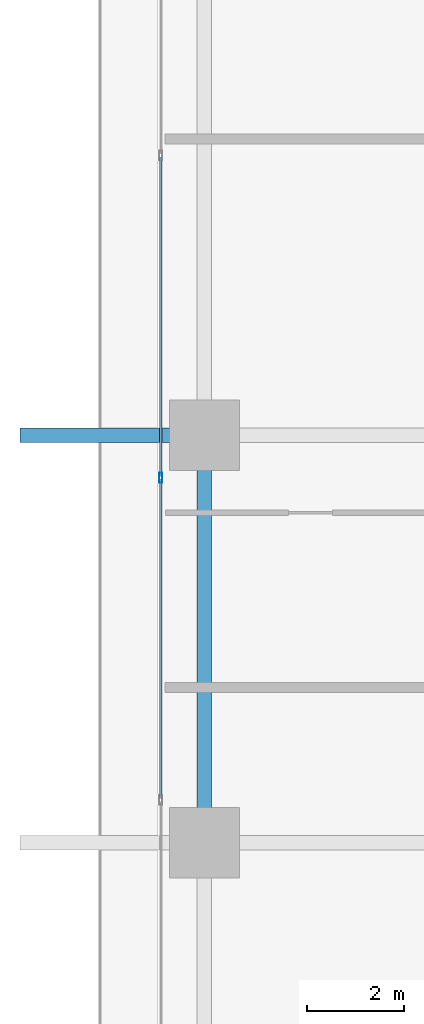
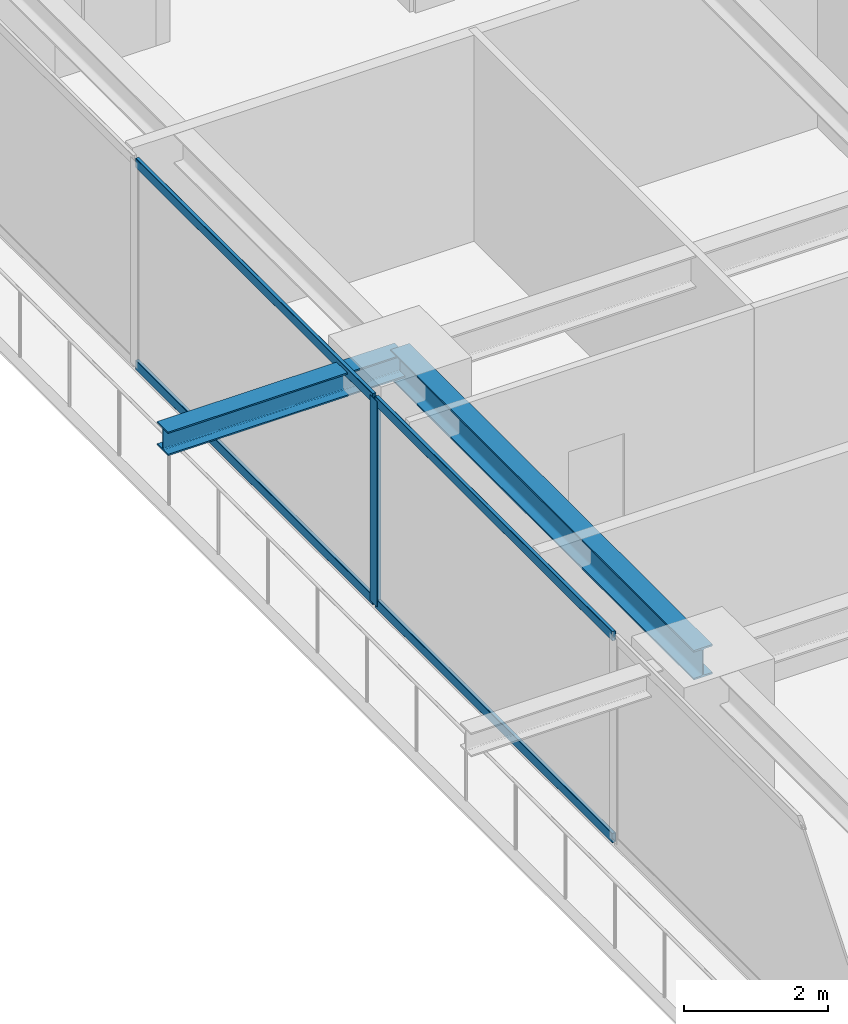
# One storey, part 8 of 38: 5 members, 2 beams, 1 element without a shape of its own.
"""IFC4 building model written with IfcOpenShell, lengths in metres."""

from ifc_helpers import new_model, si_unit, direction, frame, origin, origin_2d, place, context, subcontext, project, spatial, hollow_rectangle, i_section, extrude, source, transform, mapped, material, layer, layer_set, material_profile, profile_set, type_object, element, aggregate, save


model = new_model("IFC4")

# Units and contexts
model_context = context("Model", 3, precision=1e-05, world=origin(), true_north=direction((0.0, 1.0)))
body_context = subcontext(model_context, "Body", "Model", "MODEL_VIEW")
ifc_project = project(units=[si_unit("LENGTHUNIT", "METRE"), si_unit("AREAUNIT", "SQUARE_METRE"), si_unit("VOLUMEUNIT", "CUBIC_METRE"), si_unit("PLANEANGLEUNIT", "RADIAN"), si_unit("MASSUNIT", "GRAM", prefix="KILO")], contexts=[model_context])

# Site, building, storey
site_placement = place(None, origin())
site = spatial("IfcSite", under=ifc_project, at=site_placement, CompositionType="ELEMENT")
building_placement = place(site_placement, origin())
building = spatial("IfcBuilding", under=site, at=building_placement, Name="Serunith Strait Residences", CompositionType="ELEMENT")
storey_placement = place(building_placement, frame((0.0, 0.0, 67.949951171875)))
storey = spatial("IfcBuildingStorey", under=building, at=storey_placement, Name="L16", CompositionType="ELEMENT", Elevation=67.949951171875)

# Beams
ifc_material_1 = material(Name="Steel S355J2", Category="steel")
ifc_material_profile_1 = material_profile(ifc_material_1, i_section(OverallWidth=0.300048828125, OverallDepth=0.5, WebThickness=0.014404296875, FlangeThickness=0.028076171875, FilletRadius=0.027099609375, at=origin_2d()), Name="HEB 500")
ifc_profile_set_1 = profile_set([ifc_material_profile_1], Name="Steel S355J2")
beam_type_1 = type_object("IfcBeamType", Name="BM-HEB500", PredefinedType="BEAM", material=ifc_profile_set_1)
shared_shape_1 = source(origin(), body_context, "Body", "SweptSolid", [
    extrude(i_section(OverallWidth=0.300048828125, OverallDepth=0.5, WebThickness=0.014404296875, FlangeThickness=0.028076171875, FilletRadius=0.027099609375, at=origin_2d()), origin(), (0.0, 0.0, 1.0), 8.39990234375),
])
beam_1_placement = place(storey_placement, frame((6.89990234375, 29.39990234375, 3.237060546875), z_axis=(0.0, -1.0, 0.0), x_axis=(1.0, 0.0, 0.0)))
element("IfcBeam", 1, at=beam_1_placement, inside=storey, type_object=beam_type_1, Name="L16 Perimeter Ring Beam 14", PredefinedType="BEAM", context=body_context, shape_type="MappedRepresentation", body=[
    mapped(shared_shape_1, transform((0.0, 0.0, 0.0), scale=1.0)),
])
ifc_material_profile_2 = material_profile(ifc_material_1, i_section(OverallWidth=0.300048828125, OverallDepth=0.39990234375, WebThickness=0.013427734375, FlangeThickness=0.02392578125, FilletRadius=0.027099609375, at=origin_2d()), Name="HEB 400")
ifc_profile_set_2 = profile_set([ifc_material_profile_2], Name="Steel S355J2")
beam_type_2 = type_object("IfcBeamType", Name="BM-HEB400", PredefinedType="BEAM", material=ifc_profile_set_2)
shared_shape_2 = source(origin(), body_context, "Body", "SweptSolid", [
    extrude(i_section(OverallWidth=0.300048828125, OverallDepth=0.39990234375, WebThickness=0.013427734375, FlangeThickness=0.02392578125, FilletRadius=0.027099609375, at=origin_2d()), origin(), (0.0, 0.0, 1.0), 3.7998046875),
])
beam_2_placement = place(storey_placement, frame((6.89990234375, 29.39990234375, 3.257080078125), z_axis=(-1.0, 0.0, 0.0), x_axis=(0.0, -1.0, 0.0)))
element("IfcBeam", 2, at=beam_2_placement, inside=storey, type_object=beam_type_2, Name="L17 Cantilevered Balcony Rib TC-W3", PredefinedType="BEAM", context=body_context, shape_type="MappedRepresentation", body=[
    mapped(shared_shape_2, transform((0.0, 0.0, 0.0), scale=1.0)),
])

# Curtain wall, members
ifc_material_2 = material(Name="Pale-Champagne Anodised Aluminium", Category="aluminium")
ifc_layer = layer(ifc_material_2, 0.199951171875, Name="Pale-Champagne Anodised Aluminium")
ifc_layer_set = layer_set([ifc_layer], Name="Pale-Champagne Anodised Aluminium")
curtain_wall_type = type_object("IfcCurtainWallType", Name="CW-SYS1", PredefinedType="NOTDEFINED", material=ifc_layer_set)
curtain_wall_placement = place(storey_placement, origin())
curtain_wall = element("IfcCurtainWall", 3, at=curtain_wall_placement, inside=storey, type_object=curtain_wall_type, Name="L16 W Unitised Fritted Curtain Wall", PredefinedType="NOTDEFINED")
ifc_material_profile_3 = material_profile(ifc_material_2, hollow_rectangle(XDim=0.070068359375, YDim=0.199951171875, WallThickness=0.00390625, InnerFilletRadius=0.006103515625, OuterFilletRadius=0.010009765625, at=origin_2d()), Name="ALU 200x70x4")
ifc_profile_set_3 = profile_set([ifc_material_profile_3], Name="Pale-Champagne Anodised Aluminium")
member_type_1 = type_object("IfcMemberType", Name="CW-SYS1-MULL", PredefinedType="MULLION", material=ifc_profile_set_3)
shared_shape_3 = source(origin(), body_context, "Body", "SweptSolid", [
    extrude(hollow_rectangle(XDim=0.070068359375, YDim=0.199951171875, WallThickness=0.00390625, InnerFilletRadius=0.006103515625, OuterFilletRadius=0.010009765625, at=origin_2d()), origin(), (0.0, 0.0, 1.0), 3.47509765625),
])
member_1_placement = place(storey_placement, frame((6.0, 28.52001953125, 0.0), z_axis=(0.0, 0.0, 1.0), x_axis=(1.0, 0.0, 0.0)))
member_1 = element("IfcMember", 4, at=member_1_placement, type_object=member_type_1, Name="CW-1 mullion 3", PredefinedType="MULLION", context=body_context, shape_type="MappedRepresentation", body=[
    mapped(shared_shape_3, transform((0.0, 0.0, 0.0), scale=1.0)),
])
ifc_material_profile_4 = material_profile(ifc_material_2, hollow_rectangle(XDim=0.06005859375, YDim=0.159912109375, WallThickness=0.00341796875, InnerFilletRadius=0.00537109375, OuterFilletRadius=0.0087890625, at=origin_2d()), Name="ALU 160x60x3.5")
ifc_profile_set_4 = profile_set([ifc_material_profile_4], Name="Pale-Champagne Anodised Aluminium")
member_type_2 = type_object("IfcMemberType", Name="CW-SYS1-TRAN", PredefinedType="USERDEFINED", material=ifc_profile_set_4)
shared_shape_4 = source(origin(), body_context, "Body", "SweptSolid", [
    extrude(hollow_rectangle(XDim=0.06005859375, YDim=0.159912109375, WallThickness=0.00341796875, InnerFilletRadius=0.00537109375, OuterFilletRadius=0.0087890625, at=origin_2d()), origin(), (0.0, 0.0, 1.0), 6.570068359375),
])
member_2_placement = place(storey_placement, frame((6.0, 35.125, 0.030029296875), z_axis=(0.0, -1.0, 0.0), x_axis=(1.0, 0.0, 0.0)))
member_2 = element("IfcMember", 5, at=member_2_placement, type_object=member_type_2, Name="CW-1 transom 2.1", ObjectType="TRANSOM", PredefinedType="USERDEFINED", context=body_context, shape_type="MappedRepresentation", body=[
    mapped(shared_shape_4, transform((0.0, 0.0, 0.0), scale=1.0)),
])
member_3_placement = place(storey_placement, frame((6.0, 35.125, 3.445068359375), z_axis=(0.0, -1.0, 0.0), x_axis=(1.0, 0.0, 0.0)))
member_3 = element("IfcMember", 6, at=member_3_placement, type_object=member_type_2, Name="CW-1 transom 2.2", ObjectType="TRANSOM", PredefinedType="USERDEFINED", context=body_context, shape_type="MappedRepresentation", body=[
    mapped(shared_shape_4, transform((0.0, 0.0, 0.0), scale=1.0)),
])
member_4_placement = place(storey_placement, frame((6.0, 28.485107421875, 0.030029296875), z_axis=(0.0, -1.0, 0.0), x_axis=(1.0, 0.0, 0.0)))
member_4 = element("IfcMember", 7, at=member_4_placement, type_object=member_type_2, Name="CW-1 transom 3.1", ObjectType="TRANSOM", PredefinedType="USERDEFINED", context=body_context, shape_type="MappedRepresentation", body=[
    mapped(shared_shape_4, transform((0.0, 0.0, 0.0), scale=1.0)),
])
member_5_placement = place(storey_placement, frame((6.0, 28.485107421875, 3.445068359375), z_axis=(0.0, -1.0, 0.0), x_axis=(1.0, 0.0, 0.0)))
member_5 = element("IfcMember", 8, at=member_5_placement, type_object=member_type_2, Name="CW-1 transom 3.2", ObjectType="TRANSOM", PredefinedType="USERDEFINED", context=body_context, shape_type="MappedRepresentation", body=[
    mapped(shared_shape_4, transform((0.0, 0.0, 0.0), scale=1.0)),
])
aggregate(curtain_wall, [member_1, member_2, member_3, member_4, member_5])

save(model, "model.ifc")
